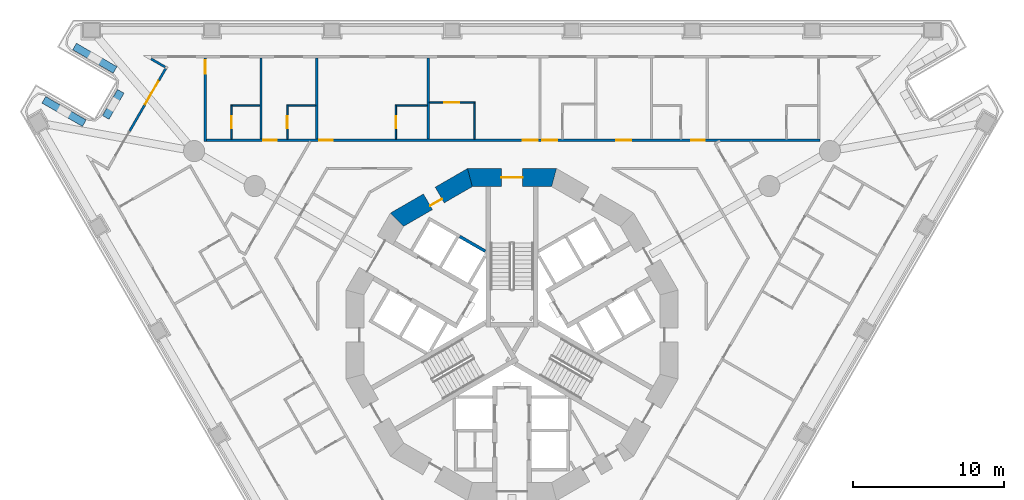
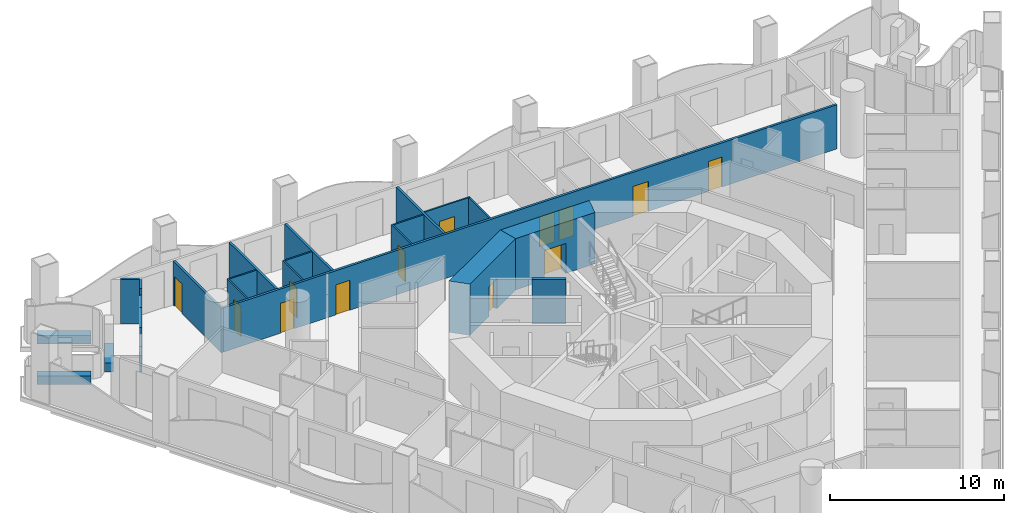
# One storey, part 7 of 19: 23 walls, 14 doors, 14 openings.
"""IFC4 building model written with IfcOpenShell, lengths in metres."""

from ifc_helpers import new_model, si_unit, direction, frame, frame_2d, origin, place, context, subcontext, project, spatial, polyline, rectangle, outline, extrude, material, layer, layer_set, type_object, element, fill, save


model = new_model("IFC4")

# Units and contexts
model_context = context("Model", 3, precision=1e-05, world=origin(), true_north=direction((0.0, 1.0)))
body_context = subcontext(model_context, "Body", "Model", "MODEL_VIEW")
ifc_project = project(units=[si_unit("LENGTHUNIT", "METRE"), si_unit("AREAUNIT", "SQUARE_METRE"), si_unit("VOLUMEUNIT", "CUBIC_METRE"), si_unit("PLANEANGLEUNIT", "RADIAN"), si_unit("MASSUNIT", "GRAM", prefix="KILO")], contexts=[model_context])

# Site, building, storey
site_placement = place(None, origin())
site = spatial("IfcSite", under=ifc_project, at=site_placement, CompositionType="ELEMENT")
building_placement = place(site_placement, origin())
building = spatial("IfcBuilding", under=site, at=building_placement, Name="Trine Commons Tower", CompositionType="ELEMENT")
storey_placement = place(building_placement, frame((0.0, 0.0, 42.300048828125)))
storey = spatial("IfcBuildingStorey", under=building, at=storey_placement, Name="L09", CompositionType="ELEMENT", Elevation=42.300048828125)

# Wall
ifc_material_1 = material(Name="Aluminium-framed insulated wall panel", Category="aluminium")
ifc_layer_1 = layer(ifc_material_1, 0.14990234375)
ifc_layer_set_1 = layer_set([ifc_layer_1], Name="Aluminium-framed insulated wall panel")
wall_type_1 = type_object("IfcWallType", Name="Glazed frame wall 150, EI 60", PredefinedType="SOLIDWALL", material=ifc_layer_set_1)
wall_1_placement = place(storey_placement, frame((54.641357421875, 75.986083984375, 0.0), z_axis=(0.0, 0.0, 1.0), x_axis=(0.50002537861, 0.866010750942, 0.0)))
element("IfcWall", 1, at=wall_1_placement, inside=storey, type_object=wall_type_1, Name="Glazed frame wall P1.3", PredefinedType="SOLIDWALL", context=body_context, shape_type="SweptSolid", body=[
    extrude(outline(polyline([(0.0, -0.074951171875), (2.0, -0.074951171875), (2.0, 0.074951171875), (0.0, 0.074951171875), (0.0, -0.074951171875)])), origin(), (0.0, 0.0, 1.0), 3.099853515625),
])

# Wall, opening, door
wall_2_placement = place(storey_placement, frame((55.641357421875, 77.718017578125, 0.0), z_axis=(0.0, 0.0, 1.0), x_axis=(0.499967155389, 0.866044365799, 0.0)))
wall_2 = element("IfcWall", 2, at=wall_2_placement, inside=storey, type_object=wall_type_1, Name="Glazed frame wall P1.4", PredefinedType="SOLIDWALL", context=body_context, shape_type="SweptSolid", body=[
    extrude(outline(polyline([(0.0, -0.074951171875), (1.89990234375, -0.074951171875), (1.89990234375, 0.074951171875), (0.0, 0.074951171875), (0.0, -0.074951171875)])), origin(), (0.0, 0.0, 1.0), 2.64990234375),
])
opening_1_placement = place(wall_2_placement, frame((0.050048828125, 0.0, 0.0)))
opening_1 = element("IfcOpeningElement", 3, at=opening_1_placement, cuts=wall_2, Name="Opening BD-1P1-02", PredefinedType="OPENING", context=body_context, shape_type="SweptSolid", body=[
    extrude(rectangle(XDim=1.800048828125, YDim=2.60009765625, at=frame_2d((0.89990234375, 1.300048828125))), frame((0.0, 0.0849609375, 0.0), z_axis=(0.0, -1.0, 0.0), x_axis=(1.0, 0.0, 0.0)), (0.0, 0.0, 1.0), 0.169921875),
])
ifc_material_2 = material(Name="Anodised aluminium frame with double glazing", Category="aluminium")
door_type_1 = type_object("IfcDoorType", Name="Sliding loggia door 1800x2600", OperationType="SLIDING_TO_LEFT", PredefinedType="DOOR", material=ifc_material_2)
door_1_placement = place(opening_1_placement, origin())
door_1 = element("IfcDoor", 4, at=door_1_placement, inside=storey, type_object=door_type_1, Name="Loggia door P1 2", OperationType="SLIDING_TO_LEFT", OverallHeight=2.60009765625, OverallWidth=1.800048828125, PredefinedType="DOOR", context=body_context, shape_type="SweptSolid", body=[
    extrude(rectangle(XDim=1.800048828125, YDim=2.60009765625, at=frame_2d((0.89990234375, 1.300048828125))), frame((0.0, 0.02490234375, 0.0), z_axis=(0.0, -1.0, 0.0), x_axis=(1.0, 0.0, 0.0)), (0.0, 0.0, 1.0), 0.050048828125),
])
fill(opening_1, door_1)

# Walls
wall_3_placement = place(storey_placement, frame((56.59130859375, 79.363525390625, 0.0), z_axis=(0.0, 0.0, 1.0), x_axis=(0.50002537861, 0.866010750942, 0.0)))
element("IfcWall", 5, at=wall_3_placement, inside=storey, type_object=wall_type_1, Name="Glazed frame wall P1.5", PredefinedType="SOLIDWALL", context=body_context, shape_type="SweptSolid", body=[
    extrude(outline(polyline([(0.889892578125, 0.074951171875), (0.0, 0.074951171875), (0.0, -0.074951171875), (0.889892578125, -0.074951171875), (0.889892578125, 0.074951171875)])), origin(), (0.0, 0.0, 1.0), 3.099853515625),
])
wall_4_placement = place(storey_placement, frame((57.104248046875, 80.181884765625, 0.0), z_axis=(0.0, 0.0, 1.0), x_axis=(-0.86606770004, 0.49992673358, 0.0)))
element("IfcWall", 6, at=wall_4_placement, inside=storey, type_object=wall_type_1, Name="Glazed frame wall R3", PredefinedType="SOLIDWALL", context=body_context, shape_type="SweptSolid", body=[
    extrude(outline(polyline([(0.110107421875, 0.074951171875), (0.110107421875, -0.074951171875), (1.19580078125, -0.074951171875), (1.19580078125, 0.074951171875), (0.110107421875, 0.074951171875)])), origin(), (0.0, 0.0, 1.0), 3.099853515625),
])
ifc_material_3 = material(Name="Planter trough, precast concrete C40/50", Category="concrete")
ifc_layer_2 = layer(ifc_material_3, 0.5)
ifc_layer_set_2 = layer_set([ifc_layer_2], Name="Planter trough, precast concrete C40/50")
wall_type_2 = type_object("IfcWallType", Name="Planter trough 500x600", PredefinedType="PARAPET", material=ifc_layer_set_2)
wall_5_placement = place(storey_placement, frame((48.95556640625, 78.068115234375, 0.0), z_axis=(0.0, 0.0, 1.0), x_axis=(0.86602952684, -0.49999285859, 0.0)))
element("IfcWall", 7, at=wall_5_placement, inside=storey, type_object=wall_type_2, Name="Planter 1", PredefinedType="PARAPET", context=body_context, shape_type="SweptSolid", body=[
    extrude(rectangle(XDim=3.10009765625, YDim=0.5, at=frame_2d((1.550048828125, 0.0))), origin(), (0.0, 0.0, 1.0), 0.599853515625),
])
wall_6_placement = place(storey_placement, frame((53.060791015625, 76.898681640625, 0.0), z_axis=(0.0, 0.0, 1.0), x_axis=(0.50002537861, 0.866010750942, 0.0)))
element("IfcWall", 8, at=wall_6_placement, inside=storey, type_object=wall_type_2, Name="Planter 2", PredefinedType="PARAPET", context=body_context, shape_type="SweptSolid", body=[
    extrude(rectangle(XDim=2.0, YDim=0.5, at=frame_2d((1.0, 0.0))), origin(), (0.0, 0.0, 1.0), 0.599853515625),
])
wall_7_placement = place(storey_placement, frame((53.680419921875, 80.05126953125, 0.0), z_axis=(0.0, 0.0, 1.0), x_axis=(-0.86602952684, 0.49999285859, 0.0)))
element("IfcWall", 9, at=wall_7_placement, inside=storey, type_object=wall_type_2, Name="Planter 3", PredefinedType="PARAPET", context=body_context, shape_type="SweptSolid", body=[
    extrude(rectangle(XDim=3.10009765625, YDim=0.5, at=frame_2d((1.550048828125, 0.0))), origin(), (0.0, 0.0, 1.0), 0.599853515625),
])

# Wall, opening, door
ifc_material_4 = material(Name="Concrete C80/95", Category="concrete")
ifc_layer_3 = layer(ifc_material_4, 1.199951171875)
ifc_layer_set_3 = layer_set([ifc_layer_3], Name="Concrete C80/95")
wall_type_3 = type_object("IfcWallType", Name="RC shear wall 1200 mm, C80/95", PredefinedType="SHEAR", material=ifc_layer_set_3)
wall_8_placement = place(storey_placement, frame((82.950439453125, 72.91162109375, 0.0), z_axis=(0.0, 0.0, 1.0), x_axis=(-1.0, 0.0, 0.0)))
wall_8 = element("IfcWall", 10, at=wall_8_placement, inside=storey, type_object=wall_type_3, Name="Core wall CWA-04 L09", PredefinedType="SHEAR", context=body_context, shape_type="SweptSolid", body=[
    extrude(outline(polyline([(0.0, -0.60009765625), (5.90087890625, -0.60009765625), (5.57958984375, 0.60009765625), (0.321533203125, 0.60009765625), (0.0, -0.60009765625)])), origin(), (0.0, 0.0, 1.0), 3.599853515625),
])
opening_2_placement = place(wall_8_placement, frame((2.25048828125, 0.0, 0.0)))
opening_2 = element("IfcOpeningElement", 11, at=opening_2_placement, cuts=wall_8, Name="Opening K04.01", PredefinedType="OPENING", context=body_context, shape_type="SweptSolid", body=[
    extrude(rectangle(XDim=1.39990234375, YDim=2.10009765625, at=frame_2d((0.699951171875, 1.050048828125))), frame((0.0, 0.60986328125, 0.0), z_axis=(0.0, -1.0, 0.0), x_axis=(1.0, 0.0, 0.0)), (0.0, 0.0, 1.0), 1.219970703125),
])
ifc_material_5 = material(Name="Steel door leaves, fire-rated", Category="steel")
door_type_2 = type_object("IfcDoorType", Name="Stair door, double leaf 1400 x 2100, FD90", OperationType="DOUBLE_DOOR_SINGLE_SWING", PredefinedType="DOOR", material=ifc_material_5)
door_2_placement = place(opening_2_placement, origin())
door_2 = element("IfcDoor", 12, at=door_2_placement, inside=storey, type_object=door_type_2, Name="Stair door to Exit stair ST1A L09", OperationType="DOUBLE_DOOR_SINGLE_SWING", OverallHeight=2.10009765625, OverallWidth=1.39990234375, PredefinedType="DOOR", context=body_context, shape_type="SweptSolid", body=[
    extrude(rectangle(XDim=1.39990234375, YDim=2.10009765625, at=frame_2d((0.699951171875, 1.050048828125))), frame((0.0, 0.02490234375, 0.0), z_axis=(0.0, -1.0, 0.0), x_axis=(1.0, 0.0, 0.0)), (0.0, 0.0, 1.0), 0.050048828125),
])
fill(opening_2, door_2)

wall_9_placement = place(storey_placement, frame((77.349609375, 72.991943359375, 0.0), z_axis=(0.0, 0.0, 1.0), x_axis=(-0.866037463336, -0.499979111662, 0.0)))
wall_9 = element("IfcWall", 13, at=wall_9_placement, inside=storey, type_object=wall_type_3, Name="Core wall CWA-05 L09", PredefinedType="SHEAR", context=body_context, shape_type="SweptSolid", body=[
    extrude(outline(polyline([(0.0, -0.60009765625), (5.901123046875, -0.60009765625), (5.57958984375, 0.60009765625), (0.321533203125, 0.60009765625), (0.0, -0.60009765625)])), origin(), (0.0, 0.0, 1.0), 3.599853515625),
])
opening_3_placement = place(wall_9_placement, frame((2.474853515625, 0.0, 0.0)))
opening_3 = element("IfcOpeningElement", 14, at=opening_3_placement, cuts=wall_9, Name="Opening K04.13", PredefinedType="OPENING", context=body_context, shape_type="SweptSolid", body=[
    extrude(rectangle(XDim=0.89990234375, YDim=2.10009765625, at=frame_2d((0.449951171875, 1.050048828125))), frame((0.0, 0.60986328125, 0.0), z_axis=(0.0, -1.0, 0.0), x_axis=(1.0, 0.0, 0.0)), (0.0, 0.0, 1.0), 1.219970703125),
])
ifc_material_6 = material(Name="Steel door leaf, fire-rated", Category="steel")
door_type_3 = type_object("IfcDoorType", Name="Core room door, single leaf 900 x 2100, FD30S", OperationType="SINGLE_SWING_LEFT", PredefinedType="DOOR", material=ifc_material_6)
door_3_placement = place(opening_3_placement, origin())
door_3 = element("IfcDoor", 15, at=door_3_placement, inside=storey, type_object=door_type_3, Name="Door to Comms room L09", OperationType="SINGLE_SWING_LEFT", OverallHeight=2.10009765625, OverallWidth=0.89990234375, PredefinedType="DOOR", context=body_context, shape_type="SweptSolid", body=[
    extrude(rectangle(XDim=0.89990234375, YDim=2.10009765625, at=frame_2d((0.449951171875, 1.050048828125))), frame((0.0, 0.3251953125, 0.0), z_axis=(0.0, -1.0, 0.0), x_axis=(1.0, 0.0, 0.0)), (0.0, 0.0, 1.0), 0.050048828125),
])
fill(opening_3, door_3)

# Wall
ifc_material_7 = material(Name="Fire-rated gypsum shaft wall system")
ifc_layer_4 = layer(ifc_material_7, 0.199951171875)
ifc_layer_set_4 = layer_set([ifc_layer_4], Name="Fire-rated gypsum shaft wall system")
wall_type_4 = type_object("IfcWallType", Name="Shaft wall 200 mm, EI 120", PredefinedType="PARTITIONING", material=ifc_layer_set_4)
wall_10_placement = place(storey_placement, frame((78.22509765625, 68.028076171875, 0.0), z_axis=(0.0, 0.0, 1.0), x_axis=(-0.866052014814, 0.499953905513, 0.0)))
element("IfcWall", 16, at=wall_10_placement, inside=storey, type_object=wall_type_4, Name="Shaft wall L09", PredefinedType="PARTITIONING", context=body_context, shape_type="SweptSolid", body=[
    extrude(rectangle(XDim=1.947998046875, YDim=0.199951171875, at=frame_2d((0.97412109375, 0.0))), origin(), (0.0, 0.0, 1.0), 3.099853515625),
])

# Wall, opening, door
ifc_material_8 = material(Name="Gypsum plasterboard on steel stud", Category="steel")
ifc_layer_5 = layer(ifc_material_8, 0.14990234375)
ifc_layer_set_5 = layer_set([ifc_layer_5], Name="Gypsum plasterboard on steel stud")
wall_type_5 = type_object("IfcWallType", Name="Unit and corridor wall 150 mm, EI 60", PredefinedType="PARTITIONING", material=ifc_layer_set_5)
wall_11_placement = place(storey_placement, frame((59.656005859375, 75.31201171875, 0.0), z_axis=(0.0, 0.0, 1.0), x_axis=(0.0, 1.0, 0.0)))
wall_11 = element("IfcWall", 17, at=wall_11_placement, inside=storey, type_object=wall_type_5, Name="Partition 006", PredefinedType="PARTITIONING", context=body_context, shape_type="SweptSolid", body=[
    extrude(rectangle(XDim=5.532958984375, YDim=0.14990234375, at=frame_2d((2.7666015625, 0.0))), origin(), (0.0, 0.0, 1.0), 3.099853515625),
])
opening_4_placement = place(wall_11_placement, frame((4.48291015625, 0.0, 0.0)))
opening_4 = element("IfcOpeningElement", 18, at=opening_4_placement, cuts=wall_11, Name="Opening D-1B07", PredefinedType="OPENING", context=body_context, shape_type="SweptSolid", body=[
    extrude(rectangle(XDim=0.89990234375, YDim=2.10009765625, at=frame_2d((0.449951171875, 1.050048828125))), frame((0.0, 0.0849609375, 0.0), z_axis=(0.0, -1.0, 0.0), x_axis=(1.0, 0.0, 0.0)), (0.0, 0.0, 1.0), 0.169921875),
])
ifc_material_9 = material(Name="Timber fire door set", Category="wood")
door_type_4 = type_object("IfcDoorType", Name="Bedroom door 900 x 2100, FD30S", OperationType="NOTDEFINED", PredefinedType="DOOR", material=ifc_material_9)
door_4_placement = place(opening_4_placement, frame((0.89990234375, 0.0, 0.0), z_axis=(0.0, 0.0, 1.0), x_axis=(-1.0, 0.0, 0.0)))
door_4 = element("IfcDoor", 19, at=door_4_placement, inside=storey, type_object=door_type_4, Name="Door D-1B07", OperationType="SINGLE_SWING_LEFT", OverallHeight=2.10009765625, OverallWidth=0.89990234375, PredefinedType="DOOR", context=body_context, shape_type="SweptSolid", body=[
    extrude(rectangle(XDim=0.89990234375, YDim=2.10009765625, at=frame_2d((0.449951171875, 1.050048828125))), frame((0.0, 0.02490234375, 0.0), z_axis=(0.0, -1.0, 0.0), x_axis=(1.0, 0.0, 0.0)), (0.0, 0.0, 1.0), 0.050048828125),
])
fill(opening_4, door_4)

# Wall, openings, doors
wall_12_placement = place(storey_placement, frame((59.73095703125, 75.386962890625, 0.0), z_axis=(0.0, 0.0, 1.0), x_axis=(1.0, 0.0, 0.0)))
wall_12 = element("IfcWall", 20, at=wall_12_placement, inside=storey, type_object=wall_type_5, Name="Partition 007", PredefinedType="PARTITIONING", context=body_context, shape_type="SweptSolid", body=[
    extrude(rectangle(XDim=40.68798828125, YDim=0.14990234375, at=frame_2d((20.343994140625, 0.0))), origin(), (0.0, 0.0, 1.0), 3.099853515625),
])
opening_5_placement = place(wall_12_placement, frame((3.77392578125, 0.0, 0.0)))
opening_5 = element("IfcOpeningElement", 21, at=opening_5_placement, cuts=wall_12, Name="Opening D-1B08", PredefinedType="OPENING", context=body_context, shape_type="SweptSolid", body=[
    extrude(rectangle(XDim=0.89990234375, YDim=2.10009765625, at=frame_2d((0.449951171875, 1.050048828125))), frame((0.0, 0.0849609375, 0.0), z_axis=(0.0, -1.0, 0.0), x_axis=(1.0, 0.0, 0.0)), (0.0, 0.0, 1.0), 0.169921875),
])
opening_6_placement = place(wall_12_placement, frame((7.472900390625, 0.0, 0.0)))
opening_6 = element("IfcOpeningElement", 22, at=opening_6_placement, cuts=wall_12, Name="Opening D-1B09", PredefinedType="OPENING", context=body_context, shape_type="SweptSolid", body=[
    extrude(rectangle(XDim=0.89990234375, YDim=2.10009765625, at=frame_2d((0.449951171875, 1.050048828125))), frame((0.0, 0.0849609375, 0.0), z_axis=(0.0, -1.0, 0.0), x_axis=(1.0, 0.0, 0.0)), (0.0, 0.0, 1.0), 0.169921875),
])
opening_7_placement = place(wall_12_placement, frame((20.968017578125, 0.0, 0.0)))
opening_7 = element("IfcOpeningElement", 23, at=opening_7_placement, cuts=wall_12, Name="Opening D-1B10", PredefinedType="OPENING", context=body_context, shape_type="SweptSolid", body=[
    extrude(rectangle(XDim=1.0, YDim=2.10009765625, at=frame_2d((0.5, 1.050048828125))), frame((0.0, 0.0849609375, 0.0), z_axis=(0.0, -1.0, 0.0), x_axis=(1.0, 0.0, 0.0)), (0.0, 0.0, 1.0), 0.169921875),
])
opening_8_placement = place(wall_12_placement, frame((22.26806640625, 0.0, 0.0)))
opening_8 = element("IfcOpeningElement", 24, at=opening_8_placement, cuts=wall_12, Name="Opening D-1B11", PredefinedType="OPENING", context=body_context, shape_type="SweptSolid", body=[
    extrude(rectangle(XDim=1.0, YDim=2.10009765625, at=frame_2d((0.5, 1.050048828125))), frame((0.0, 0.0849609375, 0.0), z_axis=(0.0, -1.0, 0.0), x_axis=(1.0, 0.0, 0.0)), (0.0, 0.0, 1.0), 0.169921875),
])
opening_9_placement = place(wall_12_placement, frame((27.16650390625, 0.0, 0.0)))
opening_9 = element("IfcOpeningElement", 25, at=opening_9_placement, cuts=wall_12, Name="Opening D-1B12", PredefinedType="OPENING", context=body_context, shape_type="SweptSolid", body=[
    extrude(rectangle(XDim=1.0, YDim=2.10009765625, at=frame_2d((0.5, 1.050048828125))), frame((0.0, 0.0849609375, 0.0), z_axis=(0.0, -1.0, 0.0), x_axis=(1.0, 0.0, 0.0)), (0.0, 0.0, 1.0), 0.169921875),
])
opening_10_placement = place(wall_12_placement, frame((32.1650390625, 0.0, 0.0)))
opening_10 = element("IfcOpeningElement", 26, at=opening_10_placement, cuts=wall_12, Name="Opening D-1B13", PredefinedType="OPENING", context=body_context, shape_type="SweptSolid", body=[
    extrude(rectangle(XDim=0.89990234375, YDim=2.10009765625, at=frame_2d((0.449951171875, 1.050048828125))), frame((0.0, 0.0849609375, 0.0), z_axis=(0.0, -1.0, 0.0), x_axis=(1.0, 0.0, 0.0)), (0.0, 0.0, 1.0), 0.169921875),
])
ifc_material_10 = material(Name="Painted timber", Category="wood")
door_type_5 = type_object("IfcDoorType", Name="Amenity room door 1000 x 2100, NOT RATED", OperationType="NOTDEFINED", PredefinedType="DOOR", material=ifc_material_10)
door_5_placement = place(opening_9_placement, origin())
door_5 = element("IfcDoor", 27, at=door_5_placement, inside=storey, type_object=door_type_5, Name="Door D-1B12", OperationType="SINGLE_SWING_RIGHT", OverallHeight=2.10009765625, OverallWidth=1.0, PredefinedType="DOOR", context=body_context, shape_type="SweptSolid", body=[
    extrude(rectangle(XDim=1.0, YDim=2.10009765625, at=frame_2d((0.5, 1.050048828125))), frame((0.0, 0.02490234375, 0.0), z_axis=(0.0, -1.0, 0.0), x_axis=(1.0, 0.0, 0.0)), (0.0, 0.0, 1.0), 0.050048828125),
])
fill(opening_9, door_5)
door_type_6 = type_object("IfcDoorType", Name="Bedroom door 1000 x 2100, FD30S", OperationType="NOTDEFINED", PredefinedType="DOOR", material=ifc_material_9)
door_6_placement = place(opening_7_placement, origin())
door_6 = element("IfcDoor", 28, at=door_6_placement, inside=storey, type_object=door_type_6, Name="Door D-1B10", OperationType="SINGLE_SWING_RIGHT", OverallHeight=2.10009765625, OverallWidth=1.0, PredefinedType="DOOR", context=body_context, shape_type="SweptSolid", body=[
    extrude(rectangle(XDim=1.0, YDim=2.10009765625, at=frame_2d((0.5, 1.050048828125))), frame((0.0, 0.02490234375, 0.0), z_axis=(0.0, -1.0, 0.0), x_axis=(1.0, 0.0, 0.0)), (0.0, 0.0, 1.0), 0.050048828125),
])
fill(opening_7, door_6)
door_7_placement = place(opening_8_placement, origin())
door_7 = element("IfcDoor", 29, at=door_7_placement, inside=storey, type_object=door_type_6, Name="Door D-1B11", OperationType="SINGLE_SWING_RIGHT", OverallHeight=2.10009765625, OverallWidth=1.0, PredefinedType="DOOR", context=body_context, shape_type="SweptSolid", body=[
    extrude(rectangle(XDim=1.0, YDim=2.10009765625, at=frame_2d((0.5, 1.050048828125))), frame((0.0, 0.02490234375, 0.0), z_axis=(0.0, -1.0, 0.0), x_axis=(1.0, 0.0, 0.0)), (0.0, 0.0, 1.0), 0.050048828125),
])
fill(opening_8, door_7)
door_8_placement = place(opening_5_placement, origin())
door_8 = element("IfcDoor", 30, at=door_8_placement, inside=storey, type_object=door_type_4, Name="Door D-1B08", OperationType="SINGLE_SWING_LEFT", OverallHeight=2.10009765625, OverallWidth=0.89990234375, PredefinedType="DOOR", context=body_context, shape_type="SweptSolid", body=[
    extrude(rectangle(XDim=0.89990234375, YDim=2.10009765625, at=frame_2d((0.449951171875, 1.050048828125))), frame((0.0, 0.02490234375, 0.0), z_axis=(0.0, -1.0, 0.0), x_axis=(1.0, 0.0, 0.0)), (0.0, 0.0, 1.0), 0.050048828125),
])
fill(opening_5, door_8)
door_9_placement = place(opening_6_placement, origin())
door_9 = element("IfcDoor", 31, at=door_9_placement, inside=storey, type_object=door_type_4, Name="Door D-1B09", OperationType="SINGLE_SWING_LEFT", OverallHeight=2.10009765625, OverallWidth=0.89990234375, PredefinedType="DOOR", context=body_context, shape_type="SweptSolid", body=[
    extrude(rectangle(XDim=0.89990234375, YDim=2.10009765625, at=frame_2d((0.449951171875, 1.050048828125))), frame((0.0, 0.02490234375, 0.0), z_axis=(0.0, -1.0, 0.0), x_axis=(1.0, 0.0, 0.0)), (0.0, 0.0, 1.0), 0.050048828125),
])
fill(opening_6, door_9)
door_10_placement = place(opening_10_placement, origin())
door_10 = element("IfcDoor", 32, at=door_10_placement, inside=storey, type_object=door_type_4, Name="Door D-1B13", OperationType="SINGLE_SWING_RIGHT", OverallHeight=2.10009765625, OverallWidth=0.89990234375, PredefinedType="DOOR", context=body_context, shape_type="SweptSolid", body=[
    extrude(rectangle(XDim=0.89990234375, YDim=2.10009765625, at=frame_2d((0.449951171875, 1.050048828125))), frame((0.0, 0.02490234375, 0.0), z_axis=(0.0, -1.0, 0.0), x_axis=(1.0, 0.0, 0.0)), (0.0, 0.0, 1.0), 0.050048828125),
])
fill(opening_10, door_10)

# Walls
for number, where, z_axis, x_axis, name in (
    (33, (63.35498046875, 75.4619140625, 0.0), (0.0, 0.0, 1.0), (0.0, 1.0, 0.0), "Partition 022"),
    (34, (67.053955078125, 75.4619140625, 0.0), (0.0, 0.0, 1.0), (0.0, 1.0, 0.0), "Partition 036"),
    (35, (74.450927734375, 75.4619140625, 0.0), (0.0, 0.0, 1.0), (0.0, 1.0, 0.0), "Partition 053"),
):
    element("IfcWall", number, at=place(storey_placement, frame(where, z_axis=z_axis, x_axis=x_axis)), inside=storey, type_object=wall_type_5, Name=name, PredefinedType="PARTITIONING", context=body_context, shape_type="SweptSolid", body=[
        extrude(rectangle(XDim=5.383056640625, YDim=0.14990234375, at=frame_2d((2.69140625, 0.0))), origin(), (0.0, 0.0, 1.0), 3.099853515625),
    ])

# Wall, opening, door
ifc_layer_6 = layer(ifc_material_8, 0.10009765625)
ifc_layer_set_6 = layer_set([ifc_layer_6], Name="Gypsum plasterboard on steel stud")
wall_type_6 = type_object("IfcWallType", Name="Unit partition 100 mm, no rating", PredefinedType="PARTITIONING", material=ifc_layer_set_6)
wall_13_placement = place(storey_placement, frame((61.405029296875, 75.4619140625, 0.0), z_axis=(0.0, 0.0, 1.0), x_axis=(0.0, 1.0, 0.0)))
wall_13 = element("IfcWall", 36, at=wall_13_placement, inside=storey, type_object=wall_type_6, Name="Partition 012", PredefinedType="PARTITIONING", context=body_context, shape_type="SweptSolid", body=[
    extrude(rectangle(XDim=2.275146484375, YDim=0.10009765625, at=frame_2d((1.1376953125, 0.0))), origin(), (0.0, 0.0, 1.0), 3.099853515625),
])
opening_11_placement = place(wall_13_placement, frame((0.71240234375, 0.0, 0.0)))
opening_11 = element("IfcOpeningElement", 37, at=opening_11_placement, cuts=wall_13, Name="Opening D-1B37", PredefinedType="OPENING", context=body_context, shape_type="SweptSolid", body=[
    extrude(rectangle(XDim=0.800048828125, YDim=2.10009765625, at=frame_2d((0.39990234375, 1.050048828125))), frame((0.0, 0.06005859375, 0.0), z_axis=(0.0, -1.0, 0.0), x_axis=(1.0, 0.0, 0.0)), (0.0, 0.0, 1.0), 0.1201171875),
])
door_type_7 = type_object("IfcDoorType", Name="Internal door 800 x 2100, NOT RATED", OperationType="NOTDEFINED", PredefinedType="DOOR", material=ifc_material_10)
door_11_placement = place(opening_11_placement, origin())
door_11 = element("IfcDoor", 38, at=door_11_placement, inside=storey, type_object=door_type_7, Name="Door D-1B37", OperationType="SINGLE_SWING_LEFT", OverallHeight=2.10009765625, OverallWidth=0.800048828125, PredefinedType="DOOR", context=body_context, shape_type="SweptSolid", body=[
    extrude(rectangle(XDim=0.800048828125, YDim=2.10009765625, at=frame_2d((0.39990234375, 1.050048828125))), frame((0.0, 0.02490234375, 0.0), z_axis=(0.0, -1.0, 0.0), x_axis=(1.0, 0.0, 0.0)), (0.0, 0.0, 1.0), 0.050048828125),
])
fill(opening_11, door_11)

# Wall
wall_14_placement = place(storey_placement, frame((61.455078125, 77.68701171875, 0.0), z_axis=(0.0, 0.0, 1.0), x_axis=(1.0, 0.0, 0.0)))
element("IfcWall", 39, at=wall_14_placement, inside=storey, type_object=wall_type_6, Name="Partition 013", PredefinedType="PARTITIONING", context=body_context, shape_type="SweptSolid", body=[
    extrude(rectangle(XDim=1.824951171875, YDim=0.10009765625, at=frame_2d((0.91259765625, 0.0))), origin(), (0.0, 0.0, 1.0), 3.099853515625),
])

# Wall, opening, door
wall_15_placement = place(storey_placement, frame((65.10400390625, 75.4619140625, 0.0), z_axis=(0.0, 0.0, 1.0), x_axis=(0.0, 1.0, 0.0)))
wall_15 = element("IfcWall", 40, at=wall_15_placement, inside=storey, type_object=wall_type_6, Name="Partition 027", PredefinedType="PARTITIONING", context=body_context, shape_type="SweptSolid", body=[
    extrude(rectangle(XDim=2.275146484375, YDim=0.10009765625, at=frame_2d((1.1376953125, 0.0))), origin(), (0.0, 0.0, 1.0), 3.099853515625),
])
opening_12_placement = place(wall_15_placement, frame((0.71240234375, 0.0, 0.0)))
opening_12 = element("IfcOpeningElement", 41, at=opening_12_placement, cuts=wall_15, Name="Opening D-1B38", PredefinedType="OPENING", context=body_context, shape_type="SweptSolid", body=[
    extrude(rectangle(XDim=0.800048828125, YDim=2.10009765625, at=frame_2d((0.39990234375, 1.050048828125))), frame((0.0, 0.06005859375, 0.0), z_axis=(0.0, -1.0, 0.0), x_axis=(1.0, 0.0, 0.0)), (0.0, 0.0, 1.0), 0.1201171875),
])
door_12_placement = place(opening_12_placement, origin())
door_12 = element("IfcDoor", 42, at=door_12_placement, inside=storey, type_object=door_type_7, Name="Door D-1B38", OperationType="SINGLE_SWING_LEFT", OverallHeight=2.10009765625, OverallWidth=0.800048828125, PredefinedType="DOOR", context=body_context, shape_type="SweptSolid", body=[
    extrude(rectangle(XDim=0.800048828125, YDim=2.10009765625, at=frame_2d((0.39990234375, 1.050048828125))), frame((0.0, 0.02490234375, 0.0), z_axis=(0.0, -1.0, 0.0), x_axis=(1.0, 0.0, 0.0)), (0.0, 0.0, 1.0), 0.050048828125),
])
fill(opening_12, door_12)

# Wall
wall_16_placement = place(storey_placement, frame((65.154052734375, 77.68701171875, 0.0), z_axis=(0.0, 0.0, 1.0), x_axis=(1.0, 0.0, 0.0)))
element("IfcWall", 43, at=wall_16_placement, inside=storey, type_object=wall_type_6, Name="Partition 028", PredefinedType="PARTITIONING", context=body_context, shape_type="SweptSolid", body=[
    extrude(rectangle(XDim=1.824951171875, YDim=0.10009765625, at=frame_2d((0.91259765625, 0.0))), origin(), (0.0, 0.0, 1.0), 3.099853515625),
])

# Wall, opening, door
wall_17_placement = place(storey_placement, frame((72.301025390625, 75.4619140625, 0.0), z_axis=(0.0, 0.0, 1.0), x_axis=(0.0, 1.0, 0.0)))
wall_17 = element("IfcWall", 44, at=wall_17_placement, inside=storey, type_object=wall_type_6, Name="Partition 046", PredefinedType="PARTITIONING", context=body_context, shape_type="SweptSolid", body=[
    extrude(rectangle(XDim=2.275146484375, YDim=0.10009765625, at=frame_2d((1.1376953125, 0.0))), origin(), (0.0, 0.0, 1.0), 3.099853515625),
])
opening_13_placement = place(wall_17_placement, frame((0.71240234375, 0.0, 0.0)))
opening_13 = element("IfcOpeningElement", 45, at=opening_13_placement, cuts=wall_17, Name="Opening D-1B39", PredefinedType="OPENING", context=body_context, shape_type="SweptSolid", body=[
    extrude(rectangle(XDim=0.800048828125, YDim=2.10009765625, at=frame_2d((0.39990234375, 1.050048828125))), frame((0.0, 0.06005859375, 0.0), z_axis=(0.0, -1.0, 0.0), x_axis=(1.0, 0.0, 0.0)), (0.0, 0.0, 1.0), 0.1201171875),
])
door_13_placement = place(opening_13_placement, origin())
door_13 = element("IfcDoor", 46, at=door_13_placement, inside=storey, type_object=door_type_7, Name="Door D-1B39", OperationType="SINGLE_SWING_LEFT", OverallHeight=2.10009765625, OverallWidth=0.800048828125, PredefinedType="DOOR", context=body_context, shape_type="SweptSolid", body=[
    extrude(rectangle(XDim=0.800048828125, YDim=2.10009765625, at=frame_2d((0.39990234375, 1.050048828125))), frame((0.0, 0.02490234375, 0.0), z_axis=(0.0, -1.0, 0.0), x_axis=(1.0, 0.0, 0.0)), (0.0, 0.0, 1.0), 0.050048828125),
])
fill(opening_13, door_13)

# Wall
wall_18_placement = place(storey_placement, frame((72.35107421875, 77.68701171875, 0.0), z_axis=(0.0, 0.0, 1.0), x_axis=(1.0, 0.0, 0.0)))
element("IfcWall", 47, at=wall_18_placement, inside=storey, type_object=wall_type_6, Name="Partition 047", PredefinedType="PARTITIONING", context=body_context, shape_type="SweptSolid", body=[
    extrude(rectangle(XDim=2.02490234375, YDim=0.10009765625, at=frame_2d((1.012451171875, 0.0))), origin(), (0.0, 0.0, 1.0), 3.099853515625),
])

# Wall, opening, door
wall_19_placement = place(storey_placement, frame((74.52587890625, 77.886962890625, 0.0), z_axis=(0.0, 0.0, 1.0), x_axis=(1.0, 0.0, 0.0)))
wall_19 = element("IfcWall", 48, at=wall_19_placement, inside=storey, type_object=wall_type_6, Name="Partition 054", PredefinedType="PARTITIONING", context=body_context, shape_type="SweptSolid", body=[
    extrude(rectangle(XDim=3.025146484375, YDim=0.10009765625, at=frame_2d((1.5126953125, 0.0))), origin(), (0.0, 0.0, 1.0), 3.099853515625),
])
opening_14_placement = place(wall_19_placement, frame((0.987548828125, 0.0, 0.0)))
opening_14 = element("IfcOpeningElement", 49, at=opening_14_placement, cuts=wall_19, Name="Opening D-1B40", PredefinedType="OPENING", context=body_context, shape_type="SweptSolid", body=[
    extrude(rectangle(XDim=1.0, YDim=2.10009765625, at=frame_2d((0.5, 1.050048828125))), frame((0.0, 0.06005859375, 0.0), z_axis=(0.0, -1.0, 0.0), x_axis=(1.0, 0.0, 0.0)), (0.0, 0.0, 1.0), 0.1201171875),
])
door_type_8 = type_object("IfcDoorType", Name="Internal door 1000 x 2100, NOT RATED", OperationType="NOTDEFINED", PredefinedType="DOOR", material=ifc_material_10)
door_14_placement = place(opening_14_placement, origin())
door_14 = element("IfcDoor", 50, at=door_14_placement, inside=storey, type_object=door_type_8, Name="Door D-1B40", OperationType="SINGLE_SWING_LEFT", OverallHeight=2.10009765625, OverallWidth=1.0, PredefinedType="DOOR", context=body_context, shape_type="SweptSolid", body=[
    extrude(rectangle(XDim=1.0, YDim=2.10009765625, at=frame_2d((0.5, 1.050048828125))), frame((0.0, 0.02490234375, 0.0), z_axis=(0.0, -1.0, 0.0), x_axis=(1.0, 0.0, 0.0)), (0.0, 0.0, 1.0), 0.050048828125),
])
fill(opening_14, door_14)

# Wall
wall_20_placement = place(storey_placement, frame((77.5009765625, 75.4619140625, 0.0), z_axis=(0.0, 0.0, 1.0), x_axis=(0.0, 1.0, 0.0)))
element("IfcWall", 51, at=wall_20_placement, inside=storey, type_object=wall_type_6, Name="Partition 060", PredefinedType="PARTITIONING", context=body_context, shape_type="SweptSolid", body=[
    extrude(rectangle(XDim=2.375, YDim=0.10009765625, at=frame_2d((1.1875, 0.0))), origin(), (0.0, 0.0, 1.0), 3.099853515625),
])

save(model, "model.ifc")
